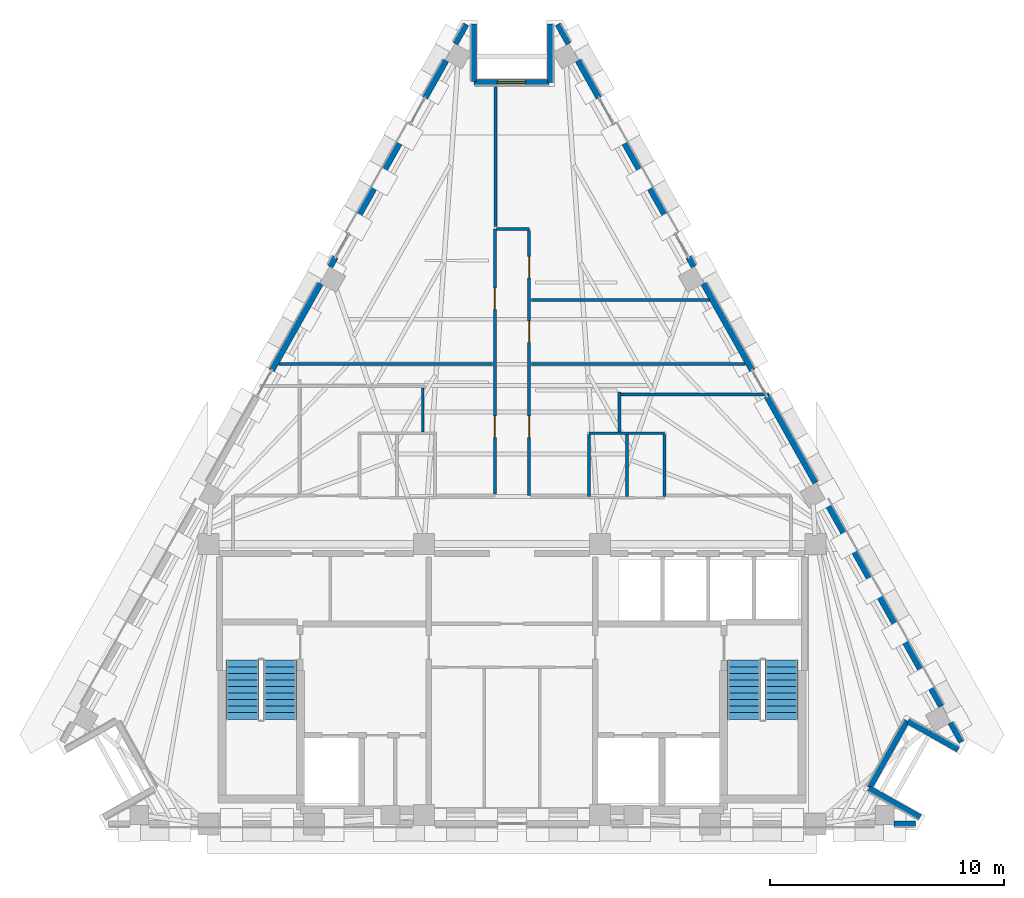
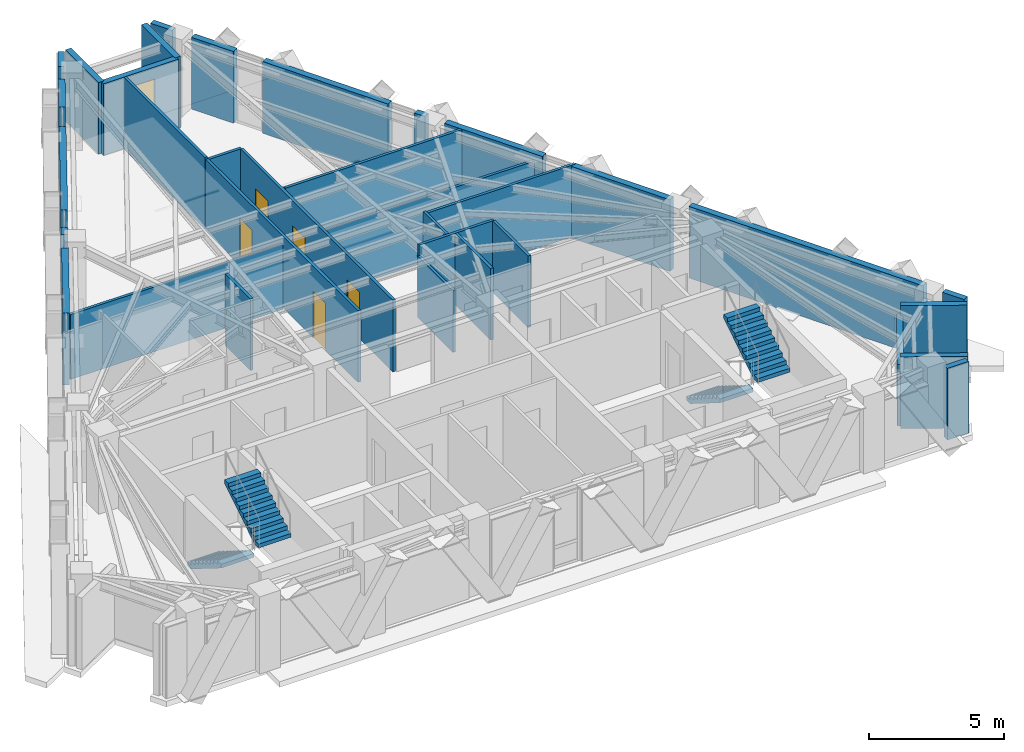
# One storey, part 7 of 9: 34 walls, 5 doors, 4 stair flights, 1 window, 6 openings, 2 elements without a shape of their own.
"""IFC4 building model written with IfcOpenShell, lengths in metres."""

from ifc_helpers import new_model, si_unit, direction, frame, frame_2d, origin, place, context, subcontext, project, spatial, polyline, rectangle, outline, extrude, material, layer, layer_set, type_object, element, fill, aggregate, save


model = new_model("IFC4")

# Units and contexts
model_context = context("Model", 3, precision=1e-05, world=origin(), true_north=direction((0.0, 1.0)))
body_context = subcontext(model_context, "Body", "Model", "MODEL_VIEW")
ifc_project = project(units=[si_unit("LENGTHUNIT", "METRE"), si_unit("AREAUNIT", "SQUARE_METRE"), si_unit("VOLUMEUNIT", "CUBIC_METRE"), si_unit("PLANEANGLEUNIT", "RADIAN"), si_unit("MASSUNIT", "GRAM", prefix="KILO")], contexts=[model_context])

# Site, building, storey
site_placement = place(None, origin())
site = spatial("IfcSite", under=ifc_project, at=site_placement, CompositionType="ELEMENT")
building_placement = place(site_placement, origin())
building = spatial("IfcBuilding", under=site, at=building_placement, Name="Quenlor Broadcast Tower", CompositionType="ELEMENT")
storey_placement = place(building_placement, frame((0.0, 0.0, 228.89990234375)))
storey = spatial("IfcBuildingStorey", under=building, at=storey_placement, Name="L63", CompositionType="ELEMENT", Elevation=228.89990234375)

# Walls
ifc_material_1 = material(Name="Gypsum Plasterboard Partition", Category="other")
ifc_layer_1 = layer(ifc_material_1, 0.1201171875)
ifc_layer_set_1 = layer_set([ifc_layer_1], Name="Standard Office Partition 120")
wall_type_1 = type_object("IfcWallType", Name="Standard Office Partition 120", PredefinedType="PARTITIONING", material=ifc_layer_set_1)
wall_1_placement = place(storey_placement, frame((3.2900390625, -0.070068359375, 0.0), z_axis=(0.0, 0.0, 1.0), x_axis=(1.0, 0.0, 0.0)))
element("IfcWall", 1, at=wall_1_placement, inside=storey, type_object=wall_type_1, Name="L63 Interior Wall PW-WCE-N", PredefinedType="PARTITIONING", context=body_context, shape_type="SweptSolid", body=[
    extrude(rectangle(XDim=3.219970703125, YDim=0.1201171875, at=frame_2d((1.60986328125, 0.0))), origin(), (0.0, 0.0, 1.0), 3.25),
])
wall_2_placement = place(storey_placement, frame((3.2900390625, -2.758056640625, 0.0), z_axis=(0.0, 0.0, 1.0), x_axis=(0.0, 1.0, 0.0)))
element("IfcWall", 2, at=wall_2_placement, inside=storey, type_object=wall_type_1, Name="L63 Interior Wall PW-WCE-W", PredefinedType="PARTITIONING", context=body_context, shape_type="SweptSolid", body=[
    extrude(rectangle(XDim=2.6259765625, YDim=0.1201171875, at=frame_2d((1.31298828125, 0.0))), origin(), (0.0, 0.0, 1.0), 2.789794921875),
])
for number, where, z_axis, x_axis, name in (
    (3, (4.89990234375, -2.758056640625, 0.0), (0.0, 0.0, 1.0), (0.0, 1.0, 0.0), "L63 Interior Wall PW-WCE-M"),
    (4, (6.510009765625, -2.758056640625, 0.0), (0.0, 0.0, 1.0), (0.0, 1.0, 0.0), "L63 Interior Wall PW-WCE-E"),
):
    element("IfcWall", number, at=place(storey_placement, frame(where, z_axis=z_axis, x_axis=x_axis)), inside=storey, type_object=wall_type_1, Name=name, PredefinedType="PARTITIONING", context=body_context, shape_type="SweptSolid", body=[
        extrude(rectangle(XDim=2.6259765625, YDim=0.1201171875, at=frame_2d((1.31298828125, 0.0))), origin(), (0.0, 0.0, 1.0), 3.25),
    ])

# Wall, openings, doors
wall_3_placement = place(storey_placement, frame((-0.72998046875, -2.66796875, 0.0), z_axis=(0.0, 0.0, 1.0), x_axis=(0.0, 1.0, 0.0)))
wall_3 = element("IfcWall", 5, at=wall_3_placement, inside=storey, type_object=wall_type_1, Name="L63 Interior Wall PW-CR-05", PredefinedType="PARTITIONING", context=body_context, shape_type="SweptSolid", body=[
    extrude(rectangle(XDim=11.31787109375, YDim=0.1201171875, at=frame_2d((5.658935546875, 0.0))), origin(), (0.0, 0.0, 1.0), 3.25),
])
opening_1_placement = place(wall_3_placement, frame((7.868896484375, 0.0, 0.0)))
opening_1 = element("IfcOpeningElement", 6, at=opening_1_placement, cuts=wall_3, Name="Opening ID-1", PredefinedType="OPENING", context=body_context, shape_type="SweptSolid", body=[
    extrude(rectangle(XDim=0.919921875, YDim=2.1201171875, at=frame_2d((0.4599609375, 1.06005859375))), frame((0.0, 0.070068359375, 0.0), z_axis=(0.0, -1.0, 0.0), x_axis=(1.0, 0.0, 0.0)), (0.0, 0.0, 1.0), 0.14013671875),
])
opening_2_placement = place(wall_3_placement, frame((2.4169921875, 0.0, 0.0)))
opening_2 = element("IfcOpeningElement", 7, at=opening_2_placement, cuts=wall_3, Name="Opening ID-1", PredefinedType="OPENING", context=body_context, shape_type="SweptSolid", body=[
    extrude(rectangle(XDim=0.919921875, YDim=2.1201171875, at=frame_2d((0.4599609375, 1.06005859375))), frame((0.0, 0.070068359375, 0.0), z_axis=(0.0, -1.0, 0.0), x_axis=(1.0, 0.0, 0.0)), (0.0, 0.0, 1.0), 0.14013671875),
])
ifc_material_2 = material(Name="Solid Core Timber Oak", Category="wood")
door_type = type_object("IfcDoorType", Name="Single Leaf Timber Office Door 920x2120", OperationType="NOTDEFINED", PredefinedType="DOOR", material=ifc_material_2)
door_1_placement = place(opening_1_placement, origin())
door_1 = element("IfcDoor", 8, at=door_1_placement, inside=storey, type_object=door_type, Name="L63 Door DR-RM02", OperationType="SINGLE_SWING_LEFT", OverallHeight=2.1201171875, OverallWidth=0.919921875, PredefinedType="DOOR", context=body_context, shape_type="SweptSolid", body=[
    extrude(rectangle(XDim=0.919921875, YDim=2.1201171875, at=frame_2d((0.4599609375, 1.06005859375))), frame((0.0, 0.02490234375, 0.0), z_axis=(0.0, -1.0, 0.0), x_axis=(1.0, 0.0, 0.0)), (0.0, 0.0, 1.0), 0.050048828125),
])
fill(opening_1, door_1)
door_2_placement = place(opening_2_placement, origin())
door_2 = element("IfcDoor", 9, at=door_2_placement, inside=storey, type_object=door_type, Name="L63 Door DR-RM05", OperationType="SINGLE_SWING_RIGHT", OverallHeight=2.1201171875, OverallWidth=0.919921875, PredefinedType="DOOR", context=body_context, shape_type="SweptSolid", body=[
    extrude(rectangle(XDim=0.919921875, YDim=2.1201171875, at=frame_2d((0.4599609375, 1.06005859375))), frame((0.0, 0.02490234375, 0.0), z_axis=(0.0, -1.0, 0.0), x_axis=(1.0, 0.0, 0.0)), (0.0, 0.0, 1.0), 0.050048828125),
])
fill(opening_2, door_2)

# Wall
wall_4_placement = place(storey_placement, frame((-0.66796875, 8.64990234375, 0.0), z_axis=(0.0, 0.0, 1.0), x_axis=(1.0, 0.0, 0.0)))
element("IfcWall", 10, at=wall_4_placement, inside=storey, type_object=wall_type_1, Name="L63 Interior Wall PW-CR-06", PredefinedType="PARTITIONING", context=body_context, shape_type="SweptSolid", body=[
    extrude(rectangle(XDim=1.39794921875, YDim=0.1201171875, at=frame_2d((0.698974609375, 0.0))), origin(), (0.0, 0.0, 1.0), 3.25),
])

# Wall, openings, doors
wall_5_placement = place(storey_placement, frame((0.72998046875, 8.587890625, 0.0), z_axis=(0.0, 0.0, 1.0), x_axis=(0.0, -1.0, 0.0)))
wall_5 = element("IfcWall", 11, at=wall_5_placement, inside=storey, type_object=wall_type_1, Name="L63 Interior Wall PW-CR-07", PredefinedType="PARTITIONING", context=body_context, shape_type="SweptSolid", body=[
    extrude(rectangle(XDim=11.31787109375, YDim=0.1201171875, at=frame_2d((5.658935546875, 0.0))), origin(), (0.0, 0.0, 1.0), 3.25),
])
opening_3_placement = place(wall_5_placement, frame((1.10693359375, 0.0, 0.0)))
opening_3 = element("IfcOpeningElement", 12, at=opening_3_placement, cuts=wall_5, Name="Opening ID-1", PredefinedType="OPENING", context=body_context, shape_type="SweptSolid", body=[
    extrude(rectangle(XDim=0.919921875, YDim=2.1201171875, at=frame_2d((0.4599609375, 1.06005859375))), frame((0.0, 0.070068359375, 0.0), z_axis=(0.0, -1.0, 0.0), x_axis=(1.0, 0.0, 0.0)), (0.0, 0.0, 1.0), 0.14013671875),
])
opening_4_placement = place(wall_5_placement, frame((3.85791015625, 0.0, 0.0)))
opening_4 = element("IfcOpeningElement", 13, at=opening_4_placement, cuts=wall_5, Name="Opening ID-1", PredefinedType="OPENING", context=body_context, shape_type="SweptSolid", body=[
    extrude(rectangle(XDim=0.919921875, YDim=2.1201171875, at=frame_2d((0.4599609375, 1.06005859375))), frame((0.0, 0.070068359375, 0.0), z_axis=(0.0, -1.0, 0.0), x_axis=(1.0, 0.0, 0.0)), (0.0, 0.0, 1.0), 0.14013671875),
])
opening_5_placement = place(wall_5_placement, frame((7.9189453125, 0.0, 0.0)))
opening_5 = element("IfcOpeningElement", 14, at=opening_5_placement, cuts=wall_5, Name="Opening ID-1", PredefinedType="OPENING", context=body_context, shape_type="SweptSolid", body=[
    extrude(rectangle(XDim=0.919921875, YDim=2.1201171875, at=frame_2d((0.4599609375, 1.06005859375))), frame((0.0, 0.070068359375, 0.0), z_axis=(0.0, -1.0, 0.0), x_axis=(1.0, 0.0, 0.0)), (0.0, 0.0, 1.0), 0.14013671875),
])
door_3_placement = place(opening_3_placement, origin())
door_3 = element("IfcDoor", 15, at=door_3_placement, inside=storey, type_object=door_type, Name="L63 Door DR-RM01", OperationType="SINGLE_SWING_RIGHT", OverallHeight=2.1201171875, OverallWidth=0.919921875, PredefinedType="DOOR", context=body_context, shape_type="SweptSolid", body=[
    extrude(rectangle(XDim=0.919921875, YDim=2.1201171875, at=frame_2d((0.4599609375, 1.06005859375))), frame((0.0, 0.02490234375, 0.0), z_axis=(0.0, -1.0, 0.0), x_axis=(1.0, 0.0, 0.0)), (0.0, 0.0, 1.0), 0.050048828125),
])
fill(opening_3, door_3)
door_4_placement = place(opening_4_placement, origin())
door_4 = element("IfcDoor", 16, at=door_4_placement, inside=storey, type_object=door_type, Name="L63 Door DR-RM03", OperationType="SINGLE_SWING_RIGHT", OverallHeight=2.1201171875, OverallWidth=0.919921875, PredefinedType="DOOR", context=body_context, shape_type="SweptSolid", body=[
    extrude(rectangle(XDim=0.919921875, YDim=2.1201171875, at=frame_2d((0.4599609375, 1.06005859375))), frame((0.0, 0.02490234375, 0.0), z_axis=(0.0, -1.0, 0.0), x_axis=(1.0, 0.0, 0.0)), (0.0, 0.0, 1.0), 0.050048828125),
])
fill(opening_4, door_4)
door_5_placement = place(opening_5_placement, origin())
door_5 = element("IfcDoor", 17, at=door_5_placement, inside=storey, type_object=door_type, Name="L63 Door DR-RM04", OperationType="SINGLE_SWING_LEFT", OverallHeight=2.1201171875, OverallWidth=0.919921875, PredefinedType="DOOR", context=body_context, shape_type="SweptSolid", body=[
    extrude(rectangle(XDim=0.919921875, YDim=2.1201171875, at=frame_2d((0.4599609375, 1.06005859375))), frame((0.0, 0.02490234375, 0.0), z_axis=(0.0, -1.0, 0.0), x_axis=(1.0, 0.0, 0.0)), (0.0, 0.0, 1.0), 0.050048828125),
])
fill(opening_5, door_5)

# Walls
wall_6_placement = place(storey_placement, frame((-0.699951171875, 8.760009765625, 0.0), z_axis=(0.0, 0.0, 1.0), x_axis=(0.0, 1.0, 0.0)))
element("IfcWall", 18, at=wall_6_placement, inside=storey, type_object=wall_type_1, Name="L63 Interior Wall PW-DV-01", PredefinedType="PARTITIONING", context=body_context, shape_type="SweptSolid", body=[
    extrude(rectangle(XDim=6.01806640625, YDim=0.1201171875, at=frame_2d((3.009033203125, 0.0))), origin(), (0.0, 0.0, 1.0), 3.25),
])
wall_7_placement = place(storey_placement, frame((8.414794921875, 5.6103515625, 0.0), z_axis=(0.0, 0.0, 1.0), x_axis=(-1.0, 0.0, 0.0)))
element("IfcWall", 19, at=wall_7_placement, inside=storey, type_object=wall_type_1, Name="L63 Interior Wall PW-DV-02", PredefinedType="PARTITIONING", context=body_context, shape_type="SweptSolid", body=[
    extrude(rectangle(XDim=7.57470703125, YDim=0.1201171875, at=frame_2d((3.787353515625, 0.0))), origin(), (0.0, 0.0, 1.0), 3.25),
])
for number, where, z_axis, x_axis, name in (
    (20, (-0.840087890625, 2.889892578125, 0.0), (0.0, 0.0, 1.0), (-1.0, 0.0, 0.0), "L63 Interior Wall PW-DV-03"),
    (21, (9.94482421875, 2.889892578125, 0.0), (0.0, 0.0, 1.0), (-1.0, 0.0, 0.0), "L63 Interior Wall PW-DV-04"),
):
    element("IfcWall", number, at=place(storey_placement, frame(where, z_axis=z_axis, x_axis=x_axis)), inside=storey, type_object=wall_type_1, Name=name, PredefinedType="PARTITIONING", context=body_context, shape_type="SweptSolid", body=[
        extrude(rectangle(XDim=9.104736328125, YDim=0.1201171875, at=frame_2d((4.55224609375, 0.0))), origin(), (0.0, 0.0, 1.0), 2.94287109375),
    ])
wall_8_placement = place(storey_placement, frame((4.580078125, 1.68359375, 0.0), z_axis=(0.0, 0.0, 1.0), x_axis=(0.0, -1.0, 0.0)))
element("IfcWall", 22, at=wall_8_placement, inside=storey, type_object=wall_type_1, Name="L63 Interior Wall PW-DV-05", PredefinedType="PARTITIONING", context=body_context, shape_type="SweptSolid", body=[
    extrude(rectangle(XDim=1.693603515625, YDim=0.1201171875, at=frame_2d((0.8466796875, 0.0))), origin(), (0.0, 0.0, 1.0), 3.25),
])
wall_9_placement = place(storey_placement, frame((10.953857421875, 1.579833984375, 0.0), z_axis=(0.0, 0.0, 1.0), x_axis=(-0.999999831682, 0.00058020336, 0.0)))
element("IfcWall", 23, at=wall_9_placement, inside=storey, type_object=wall_type_1, Name="L63 Interior Wall PW-DV-06", PredefinedType="PARTITIONING", context=body_context, shape_type="SweptSolid", body=[
    extrude(rectangle(XDim=6.311767578125, YDim=0.1201171875, at=frame_2d((3.15576171875, 0.0))), origin(), (0.0, 0.0, 1.0), 3.25),
])
wall_10_placement = place(storey_placement, frame((-3.81005859375, -0.010009765625, 0.0), z_axis=(0.0, 0.0, 1.0), x_axis=(0.0, 1.0, 0.0)))
element("IfcWall", 24, at=wall_10_placement, inside=storey, type_object=wall_type_1, Name="L63 Interior Wall PW-DV-08", PredefinedType="PARTITIONING", context=body_context, shape_type="SweptSolid", body=[
    extrude(rectangle(XDim=1.881591796875, YDim=0.1201171875, at=frame_2d((0.94091796875, 0.0))), origin(), (0.0, 0.0, 1.0), 3.25),
])
ifc_material_3 = material(Name="Precast concrete C40/50", Category="concrete")
ifc_layer_2 = layer(ifc_material_3, 0.239990234375)
ifc_layer_set_2 = layer_set([ifc_layer_2], Name="Terrace Threshold Precast Concrete C40/50 Wall 240")
wall_type_2 = type_object("IfcWallType", Name="Terrace Threshold Precast Concrete C40/50 Wall 240", PredefinedType="STANDARD", material=ifc_layer_set_2)
wall_11_placement = place(storey_placement, frame((17.219970703125, -16.72509765625, 0.0), z_axis=(0.0, 0.0, 1.0), x_axis=(-1.0, 0.0, 0.0)))
element("IfcWall", 25, at=wall_11_placement, inside=storey, type_object=wall_type_2, Name="L63 Exterior Wall L63-SHD-SS0", PredefinedType="STANDARD", context=body_context, shape_type="SweptSolid", body=[
    extrude(rectangle(XDim=0.91748046875, YDim=0.239990234375, at=frame_2d((0.458740234375, 0.0))), origin(), (0.0, 0.0, 1.0), 3.25),
])
for number, where, z_axis, x_axis, name in (
    (26, (1.94970703125, 17.372802734375, 0.0), (0.0, 0.0, 1.0), (0.490199895283, -0.871610040479, 0.0), "L63 Exterior Wall L63-SHD-NES0"),
    (27, (18.707763671875, -12.4189453125, 0.0), (0.0, 0.0, 1.0), (0.490199895283, -0.871610040479, 0.0), "L63 Exterior Wall L63-SHD-NES1"),
    (28, (-2.412841796875, 16.54931640625, 0.0), (0.0, 0.0, 1.0), (0.490199895283, 0.871610040479, 0.0), "L63 Exterior Wall L63-SHD-NWS1"),
):
    element("IfcWall", number, at=place(storey_placement, frame(where, z_axis=z_axis, x_axis=x_axis)), inside=storey, type_object=wall_type_2, Name=name, PredefinedType="STANDARD", context=body_context, shape_type="SweptSolid", body=[
        extrude(rectangle(XDim=0.94482421875, YDim=0.239990234375, at=frame_2d((0.472412109375, 0.0))), origin(), (0.0, 0.0, 1.0), 3.25),
    ])
wall_12_placement = place(storey_placement, frame((17.40771484375, -16.446533203125, 0.0), z_axis=(0.0, 0.0, 1.0), x_axis=(-0.871588577066, 0.490238056792, 0.0)))
element("IfcWall", 29, at=wall_12_placement, inside=storey, type_object=wall_type_2, Name="L63 Exterior Wall L63-CNR-01", PredefinedType="STANDARD", context=body_context, shape_type="SweptSolid", body=[
    extrude(rectangle(XDim=2.5, YDim=0.239990234375, at=frame_2d((1.25, 0.0))), origin(), (0.0, 0.0, 1.0), 3.25),
])
wall_13_placement = place(storey_placement, frame((15.248291015625, -15.18603515625, 0.0), z_axis=(0.0, 0.0, 1.0), x_axis=(0.490293083368, 0.871557624258, 0.0)))
element("IfcWall", 30, at=wall_13_placement, inside=storey, type_object=wall_type_2, Name="L63 Exterior Wall L63-CNR-02", PredefinedType="STANDARD", context=body_context, shape_type="SweptSolid", body=[
    extrude(rectangle(XDim=3.276123046875, YDim=0.239990234375, at=frame_2d((1.63818359375, 0.0))), origin(), (0.0, 0.0, 1.0), 2.789794921875),
])
wall_14_placement = place(storey_placement, frame((16.889404296875, -12.350341796875, 0.0), z_axis=(0.0, 0.0, 1.0), x_axis=(0.87157023615, -0.490270663468, 0.0)))
element("IfcWall", 31, at=wall_14_placement, inside=storey, type_object=wall_type_2, Name="L63 Exterior Wall L63-CNR-03", PredefinedType="STANDARD", context=body_context, shape_type="SweptSolid", body=[
    extrude(rectangle(XDim=2.4599609375, YDim=0.239990234375, at=frame_2d((1.22998046875, 0.0))), origin(), (0.0, 0.0, 1.0), 3.25),
])
wall_15_placement = place(storey_placement, frame((1.62890625, 17.39990234375, 0.0), z_axis=(0.0, 0.0, 1.0), x_axis=(0.0, -1.0, 0.0)))
element("IfcWall", 32, at=wall_15_placement, inside=storey, type_object=wall_type_2, Name="L63 Exterior Wall L63-CNR-07", PredefinedType="STANDARD", context=body_context, shape_type="SweptSolid", body=[
    extrude(rectangle(XDim=2.5, YDim=0.239990234375, at=frame_2d((1.25, 0.0))), origin(), (0.0, 0.0, 1.0), 3.25),
])

# Wall, opening, window
wall_16_placement = place(storey_placement, frame((1.5888671875, 14.89990234375, 0.0), z_axis=(0.0, 0.0, 1.0), x_axis=(-1.0, 0.0, 0.0)))
wall_16 = element("IfcWall", 33, at=wall_16_placement, inside=storey, type_object=wall_type_2, Name="L63 Exterior Wall L63-CNR-08", PredefinedType="STANDARD", context=body_context, shape_type="SweptSolid", body=[
    extrude(rectangle(XDim=3.2177734375, YDim=0.239990234375, at=frame_2d((1.60888671875, 0.0))), origin(), (0.0, 0.0, 1.0), 3.25),
])
opening_6_placement = place(wall_16_placement, frame((1.009033203125, 0.0, 0.89990234375)))
opening_6 = element("IfcOpeningElement", 34, at=opening_6_placement, cuts=wall_16, Name="Opening WN-5", PredefinedType="OPENING", context=body_context, shape_type="SweptSolid", body=[
    extrude(rectangle(XDim=1.199951171875, YDim=1.800048828125, at=frame_2d((0.60009765625, 0.89990234375))), frame((0.0, 0.1298828125, 0.0), z_axis=(0.0, -1.0, 0.0), x_axis=(1.0, 0.0, 0.0)), (0.0, 0.0, 1.0), 0.260009765625),
])
ifc_material_4 = material(Name="Thermally Broken Aluminium and Low-E Glass", Category="aluminium")
window_type = type_object("IfcWindowType", Name="Corner Chamfer Punched Window 1200x1800", PartitioningType="SINGLE_PANEL", PredefinedType="WINDOW", material=ifc_material_4)
window_placement = place(opening_6_placement, origin())
window = element("IfcWindow", 35, at=window_placement, inside=storey, type_object=window_type, Name="L63 Corner Chamfer Window 8", OverallHeight=1.800048828125, OverallWidth=1.199951171875, PartitioningType="SINGLE_PANEL", PredefinedType="WINDOW", context=body_context, shape_type="SweptSolid", body=[
    extrude(rectangle(XDim=1.199951171875, YDim=1.800048828125, at=frame_2d((0.60009765625, 0.89990234375))), frame((0.0, 0.030029296875, 0.0), z_axis=(0.0, -1.0, 0.0), x_axis=(1.0, 0.0, 0.0)), (0.0, 0.0, 1.0), 0.06005859375),
])
fill(opening_6, window)

# Walls
wall_17_placement = place(storey_placement, frame((-1.62890625, 14.93994140625, 0.0), z_axis=(0.0, 0.0, 1.0), x_axis=(0.0, 1.0, 0.0)))
element("IfcWall", 36, at=wall_17_placement, inside=storey, type_object=wall_type_2, Name="L63 Exterior Wall L63-CNR-09", PredefinedType="STANDARD", context=body_context, shape_type="SweptSolid", body=[
    extrude(rectangle(XDim=2.4599609375, YDim=0.239990234375, at=frame_2d((1.22998046875, 0.0))), origin(), (0.0, 0.0, 1.0), 3.25),
])
ifc_material_5 = material(Name="Precast concrete C40/50", Category="concrete")
ifc_layer_3 = layer(ifc_material_5, 0.260009765625)
ifc_layer_set_3 = layer_set([ifc_layer_3], Name="Terracotta Precast Concrete C40/50 Upper Wall 260")
wall_type_3 = type_object("IfcWallType", Name="Terracotta Precast Concrete C40/50 Upper Wall 260", PredefinedType="STANDARD", material=ifc_layer_set_3)
wall_18_placement = place(storey_placement, frame((2.81982421875, 15.825927734375, 0.0), z_axis=(0.0, 0.0, 1.0), x_axis=(0.490261239633, -0.871575537125, 0.0)))
element("IfcWall", 37, at=wall_18_placement, inside=storey, type_object=wall_type_3, Name="L63 Exterior Wall L63-NEA-SP1", PredefinedType="STANDARD", context=body_context, shape_type="SweptSolid", body=[
    extrude(rectangle(XDim=1.819580078125, YDim=0.260009765625, at=frame_2d((0.90966796875, 0.0))), origin(), (0.0, 0.0, 1.0), 3.25),
])
wall_19_placement = place(storey_placement, frame((4.329833984375, 13.1416015625, 0.0), z_axis=(0.0, 0.0, 1.0), x_axis=(0.490265525523, -0.871573126297, 0.0)))
element("IfcWall", 38, at=wall_19_placement, inside=storey, type_object=wall_type_3, Name="L63 Exterior Wall L63-NEA-SP2", PredefinedType="STANDARD", context=body_context, shape_type="SweptSolid", body=[
    extrude(rectangle(XDim=5.408935546875, YDim=0.260009765625, at=frame_2d((2.70458984375, 0.0))), origin(), (0.0, 0.0, 1.0), 3.25),
])
wall_20_placement = place(storey_placement, frame((7.534423828125, 7.444580078125, 0.0), z_axis=(0.0, 0.0, 1.0), x_axis=(0.490412424957, -0.871490478116, 0.0)))
element("IfcWall", 39, at=wall_20_placement, inside=storey, type_object=wall_type_3, Name="L63 Exterior Wall L63-NEA-SP3", PredefinedType="STANDARD", context=body_context, shape_type="SweptSolid", body=[
    extrude(rectangle(XDim=0.4599609375, YDim=0.260009765625, at=frame_2d((0.22998046875, 0.0))), origin(), (0.0, 0.0, 1.0), 3.25),
])
wall_21_placement = place(storey_placement, frame((13.350830078125, -2.895751953125, 0.0), z_axis=(0.0, 0.0, 1.0), x_axis=(0.490266968583, -0.871572314565, 0.0)))
element("IfcWall", 40, at=wall_21_placement, inside=storey, type_object=wall_type_3, Name="L63 Exterior Wall L63-EW-NEC", PredefinedType="STANDARD", context=body_context, shape_type="SweptSolid", body=[
    extrude(rectangle(XDim=10.116455078125, YDim=0.260009765625, at=frame_2d((5.05810546875, 0.0))), origin(), (0.0, 0.0, 1.0), 3.25),
])
wall_22_placement = place(storey_placement, frame((8.17431640625, 6.30712890625, 0.0), z_axis=(0.0, 0.0, 1.0), x_axis=(0.490269447258, -0.871570920284, 0.0)))
element("IfcWall", 41, at=wall_22_placement, inside=storey, type_object=wall_type_3, Name="L63 Exterior Wall L63-NE-SP1", PredefinedType="STANDARD", context=body_context, shape_type="SweptSolid", body=[
    extrude(rectangle(XDim=4.23681640625, YDim=0.260009765625, at=frame_2d((2.118408203125, 0.0))), origin(), (0.0, 0.0, 1.0), 3.25),
])
wall_23_placement = place(storey_placement, frame((10.869140625, 1.51611328125, 0.0), z_axis=(0.0, 0.0, 1.0), x_axis=(0.490244825075, -0.871584770109, 0.0)))
element("IfcWall", 42, at=wall_23_placement, inside=storey, type_object=wall_type_3, Name="L63 Exterior Wall L63-NE-SP2", PredefinedType="STANDARD", context=body_context, shape_type="SweptSolid", body=[
    extrude(rectangle(XDim=4.237060546875, YDim=0.260009765625, at=frame_2d((2.11865234375, 0.0))), origin(), (0.0, 0.0, 1.0), 3.25),
])
wall_24_placement = place(storey_placement, frame((-7.760009765625, 7.043701171875, 0.0), z_axis=(0.0, 0.0, 1.0), x_axis=(0.490412424957, 0.871490478116, 0.0)))
element("IfcWall", 43, at=wall_24_placement, inside=storey, type_object=wall_type_3, Name="L63 Exterior Wall L63-NWC-SP1", PredefinedType="STANDARD", context=body_context, shape_type="SweptSolid", body=[
    extrude(rectangle(XDim=0.4599609375, YDim=0.260009765625, at=frame_2d((0.22998046875, 0.0))), origin(), (0.0, 0.0, 1.0), 3.25),
])
wall_25_placement = place(storey_placement, frame((-6.981689453125, 8.42724609375, 0.0), z_axis=(0.0, 0.0, 1.0), x_axis=(0.490265525523, 0.871573126297, 0.0)))
element("IfcWall", 44, at=wall_25_placement, inside=storey, type_object=wall_type_3, Name="L63 Exterior Wall L63-NWC-SP2", PredefinedType="STANDARD", context=body_context, shape_type="SweptSolid", body=[
    extrude(rectangle(XDim=5.408935546875, YDim=0.260009765625, at=frame_2d((2.70458984375, 0.0))), origin(), (0.0, 0.0, 1.0), 3.25),
])
wall_26_placement = place(storey_placement, frame((-3.7119140625, 14.239990234375, 0.0), z_axis=(0.0, 0.0, 1.0), x_axis=(0.490261239633, 0.871575537125, 0.0)))
element("IfcWall", 45, at=wall_26_placement, inside=storey, type_object=wall_type_3, Name="L63 Exterior Wall L63-NWC-SP3", PredefinedType="STANDARD", context=body_context, shape_type="SweptSolid", body=[
    extrude(rectangle(XDim=1.819580078125, YDim=0.260009765625, at=frame_2d((0.90966796875, 0.0))), origin(), (0.0, 0.0, 1.0), 3.25),
])
wall_27_placement = place(storey_placement, frame((-10.25146484375, 2.614501953125, 0.0), z_axis=(0.0, 0.0, 1.0), x_axis=(0.490269447258, 0.871570920284, 0.0)))
element("IfcWall", 46, at=wall_27_placement, inside=storey, type_object=wall_type_3, Name="L63 Exterior Wall L63-NW-SP2", PredefinedType="STANDARD", context=body_context, shape_type="SweptSolid", body=[
    extrude(rectangle(XDim=4.23681640625, YDim=0.260009765625, at=frame_2d((2.118408203125, 0.0))), origin(), (0.0, 0.0, 1.0), 3.25),
])

# Stair, stair flights
ifc_material_6 = material(Name="Precast concrete C40/50", Category="concrete")
stair_type = type_object("IfcStairType", Name="Precast Concrete C40/50 Dogleg Stair H350", PredefinedType="HALF_TURN_STAIR", material=ifc_material_6)
stair_1_placement = place(storey_placement, origin())
stair_1 = element("IfcStair", 47, at=stair_1_placement, inside=storey, type_object=stair_type, Name="L63 West Core Fire-Isolated Exit Stair ST-1", PredefinedType="HALF_TURN_STAIR")
ifc_material_7 = material(Name="Precast concrete C40/50", Category="concrete")
ifc_layer_4 = layer(ifc_material_7, 0.159912109375)
ifc_layer_set_4 = layer_set([ifc_layer_4], Name="Precast Concrete C40/50 Stair Flight H350")
stair_flight_type = type_object("IfcStairFlightType", Name="Precast Concrete C40/50 Stair Flight H350", PredefinedType="STRAIGHT", material=ifc_layer_set_4)
stair_flight_1_placement = place(storey_placement, frame((-11.5, -9.75, 0.0), z_axis=(0.0, 0.0, 1.0), x_axis=(0.0, -1.0, 0.0)))
stair_flight_1 = element("IfcStairFlight", 48, at=stair_flight_1_placement, type_object=stair_flight_type, Name="ST-1 flight 1", NumberOfRisers=10, NumberOfTreads=9, PredefinedType="STRAIGHT", RiserHeight=0.175, TreadLength=0.28, context=body_context, shape_type="SweptSolid", body=[
    extrude(outline(polyline([(0.0, 0.0), (0.0, 0.175048828125), (0.280029296875, 0.175048828125), (0.280029296875, 0.35009765625), (0.56005859375, 0.35009765625), (0.56005859375, 0.52490234375), (0.840087890625, 0.52490234375), (0.840087890625, 0.699951171875), (1.1201171875, 0.699951171875), (1.1201171875, 0.875), (1.39990234375, 0.875), (1.39990234375, 1.050048828125), (1.679931640625, 1.050048828125), (1.679931640625, 1.22509765625), (1.9599609375, 1.22509765625), (1.9599609375, 1.39990234375), (2.239990234375, 1.39990234375), (2.239990234375, 1.574951171875), (2.52001953125, 1.574951171875), (2.52001953125, 1.75), (2.52001953125, 1.398193359375), (0.28271484375, 0.0), (0.0, 0.0)])), frame((0.0, 0.699951171875, 0.0), z_axis=(0.0, -1.0, 0.0), x_axis=(1.0, 0.0, 0.0)), (0.0, 0.0, 1.0), 1.39990234375),
])
stair_flight_2_placement = place(storey_placement, frame((-9.89990234375, -12.27001953125, 1.75), z_axis=(0.0, 0.0, 1.0), x_axis=(0.0, 1.0, 0.0)))
stair_flight_2 = element("IfcStairFlight", 49, at=stair_flight_2_placement, type_object=stair_flight_type, Name="ST-1 flight 2", NumberOfRisers=10, NumberOfTreads=9, PredefinedType="STRAIGHT", RiserHeight=0.175, TreadLength=0.28, context=body_context, shape_type="SweptSolid", body=[
    extrude(outline(polyline([(0.0, 0.0), (0.0, 0.175048828125), (0.280029296875, 0.175048828125), (0.280029296875, 0.35009765625), (0.56005859375, 0.35009765625), (0.56005859375, 0.52490234375), (0.840087890625, 0.52490234375), (0.840087890625, 0.699951171875), (1.1201171875, 0.699951171875), (1.1201171875, 0.875), (1.39990234375, 0.875), (1.39990234375, 1.050048828125), (1.679931640625, 1.050048828125), (1.679931640625, 1.22509765625), (1.9599609375, 1.22509765625), (1.9599609375, 1.39990234375), (2.239990234375, 1.39990234375), (2.239990234375, 1.574951171875), (2.52001953125, 1.574951171875), (2.52001953125, 1.75), (2.52001953125, 1.398193359375), (0.28271484375, 0.0), (0.0, 0.0)])), frame((0.0, 0.699951171875, 0.0), z_axis=(0.0, -1.0, 0.0), x_axis=(1.0, 0.0, 0.0)), (0.0, 0.0, 1.0), 1.39990234375),
])
aggregate(stair_1, [stair_flight_1, stair_flight_2])

stair_2_placement = place(storey_placement, origin())
stair_2 = element("IfcStair", 50, at=stair_2_placement, inside=storey, type_object=stair_type, Name="L63 East Core Fire-Isolated Exit Stair ST-2", PredefinedType="HALF_TURN_STAIR")
stair_flight_3_placement = place(storey_placement, frame((9.89990234375, -9.75, 0.0), z_axis=(0.0, 0.0, 1.0), x_axis=(0.0, -1.0, 0.0)))
stair_flight_3 = element("IfcStairFlight", 51, at=stair_flight_3_placement, type_object=stair_flight_type, Name="ST-2 flight 1", NumberOfRisers=10, NumberOfTreads=9, PredefinedType="STRAIGHT", RiserHeight=0.175, TreadLength=0.28, context=body_context, shape_type="SweptSolid", body=[
    extrude(outline(polyline([(0.0, 0.0), (0.0, 0.175048828125), (0.280029296875, 0.175048828125), (0.280029296875, 0.35009765625), (0.56005859375, 0.35009765625), (0.56005859375, 0.52490234375), (0.840087890625, 0.52490234375), (0.840087890625, 0.699951171875), (1.1201171875, 0.699951171875), (1.1201171875, 0.875), (1.39990234375, 0.875), (1.39990234375, 1.050048828125), (1.679931640625, 1.050048828125), (1.679931640625, 1.22509765625), (1.9599609375, 1.22509765625), (1.9599609375, 1.39990234375), (2.239990234375, 1.39990234375), (2.239990234375, 1.574951171875), (2.52001953125, 1.574951171875), (2.52001953125, 1.75), (2.52001953125, 1.398193359375), (0.28271484375, 0.0), (0.0, 0.0)])), frame((0.0, 0.699951171875, 0.0), z_axis=(0.0, -1.0, 0.0), x_axis=(1.0, 0.0, 0.0)), (0.0, 0.0, 1.0), 1.39990234375),
])
stair_flight_4_placement = place(storey_placement, frame((11.5, -12.27001953125, 1.75), z_axis=(0.0, 0.0, 1.0), x_axis=(0.0, 1.0, 0.0)))
stair_flight_4 = element("IfcStairFlight", 52, at=stair_flight_4_placement, type_object=stair_flight_type, Name="ST-2 flight 2", NumberOfRisers=10, NumberOfTreads=9, PredefinedType="STRAIGHT", RiserHeight=0.175, TreadLength=0.28, context=body_context, shape_type="SweptSolid", body=[
    extrude(outline(polyline([(0.0, 0.0), (0.0, 0.175048828125), (0.280029296875, 0.175048828125), (0.280029296875, 0.35009765625), (0.56005859375, 0.35009765625), (0.56005859375, 0.52490234375), (0.840087890625, 0.52490234375), (0.840087890625, 0.699951171875), (1.1201171875, 0.699951171875), (1.1201171875, 0.875), (1.39990234375, 0.875), (1.39990234375, 1.050048828125), (1.679931640625, 1.050048828125), (1.679931640625, 1.22509765625), (1.9599609375, 1.22509765625), (1.9599609375, 1.39990234375), (2.239990234375, 1.39990234375), (2.239990234375, 1.574951171875), (2.52001953125, 1.574951171875), (2.52001953125, 1.75), (2.52001953125, 1.398193359375), (0.28271484375, 0.0), (0.0, 0.0)])), frame((0.0, 0.699951171875, 0.0), z_axis=(0.0, -1.0, 0.0), x_axis=(1.0, 0.0, 0.0)), (0.0, 0.0, 1.0), 1.39990234375),
])
aggregate(stair_2, [stair_flight_3, stair_flight_4])

save(model, "model.ifc")
